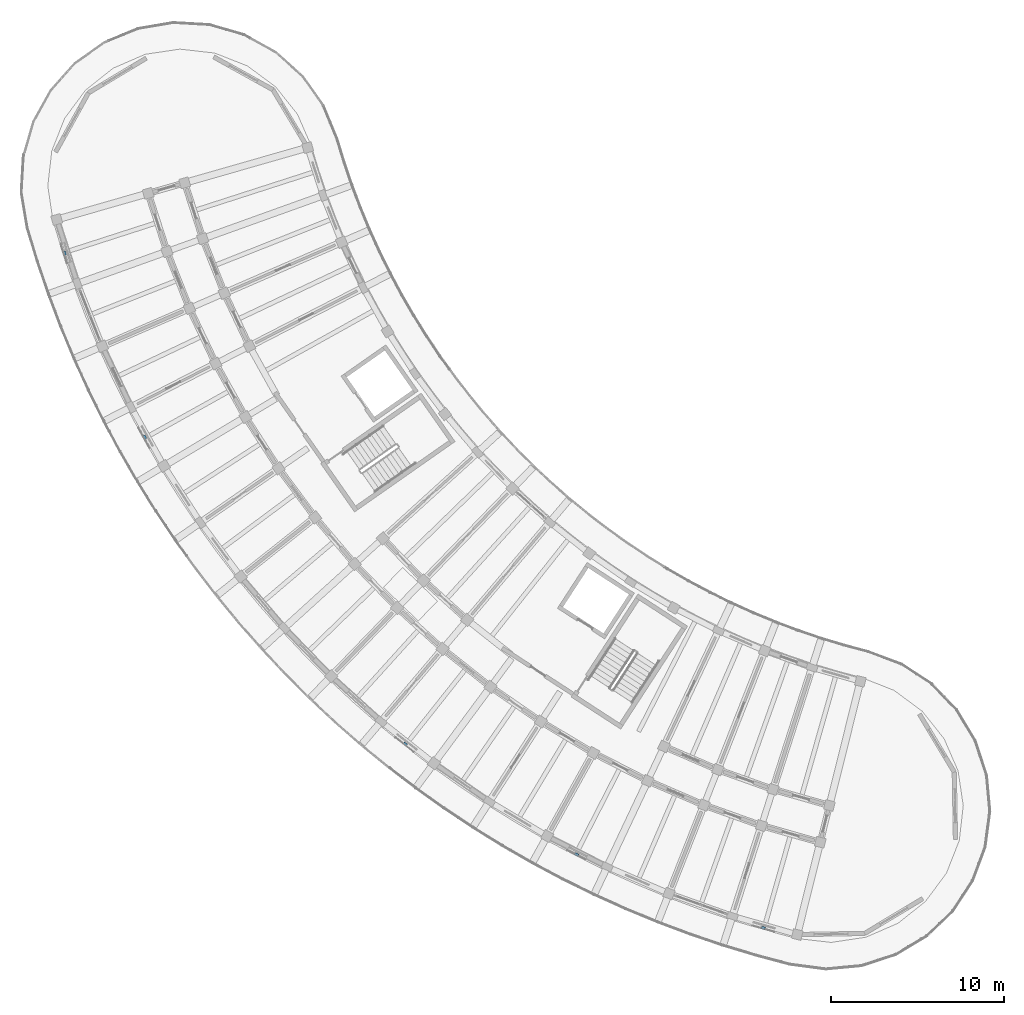
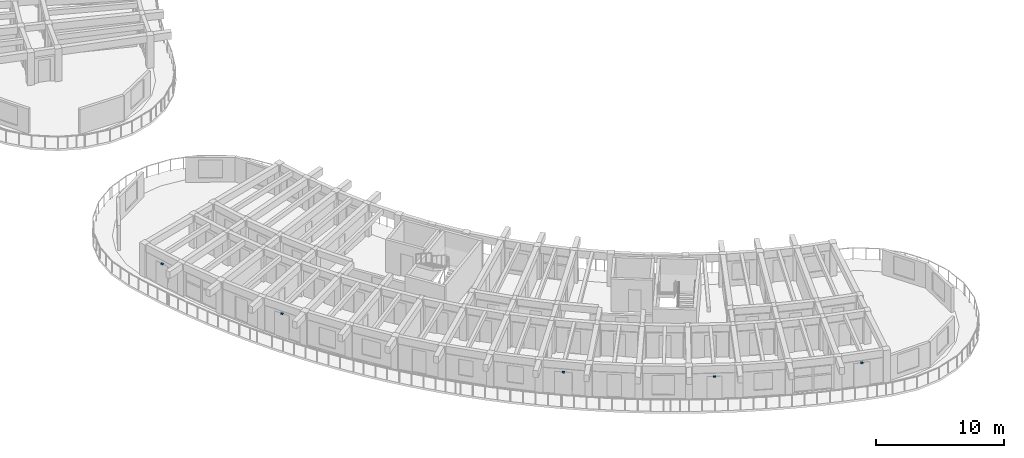
# One storey, part 61 of 81: 5 discrete accessories.
"""IFC4 building model written with IfcOpenShell, lengths in metres."""

import ifcopenshell
import ifcopenshell.guid

model = None  # the IFC model being written
_history = None  # IfcOwnerHistory: only IFC2X3 demands one
_inside = {}  # id of a spatial element -> (the spatial element, [elements in it])
_under = {}  # id of a project, library or spatial element -> (it, [spatial elements below it])
_declared = {}  # id of a project -> (the project, [libraries it declares])
_typed = {}  # id of a type object -> (the type object, [elements of that type])
_made_of = {}  # id of a material, layer set ... -> (it, [elements and type objects made of it])


def new_model(schema):
    """Start an empty IFC model of exactly this schema.

    Asked for "IFC4X3", IfcOpenShell would pick the latest addendum, in which some entities
    have other attributes; the version numbers below select the first issue.
    IFC2X3 requires an IfcOwnerHistory on every rooted entity: one is made here for all.
    """
    global model, _history
    if schema == "IFC4X3":
        model = ifcopenshell.file(schema_version=(4, 3, 0, 0))
    else:
        model = ifcopenshell.file(schema=schema)
    _inside.clear()
    _under.clear()
    _declared.clear()
    _typed.clear()
    _made_of.clear()
    _history = None
    if model.schema == "IFC2X3":
        org = make("IfcOrganization", Name="unknown")
        user = make(
            "IfcPersonAndOrganization",
            ThePerson=make("IfcPerson", FamilyName="unknown"),
            TheOrganization=org,
        )
        app = make(
            "IfcApplication",
            ApplicationDeveloper=org,
            Version="unknown",
            ApplicationFullName="unknown",
            ApplicationIdentifier="unknown",
        )
        _history = make(
            "IfcOwnerHistory",
            OwningUser=user,
            OwningApplication=app,
            ChangeAction="ADDED",
            CreationDate=0,
        )
    return model


def make(cls, **values):
    """One entity of the class cls with the attributes given. An attribute that is None is left unset."""
    return model.create_entity(
        cls, **{name: value for name, value in values.items() if value is not None}
    )


def rooted(cls, **values):
    """An entity with a GlobalId (a new one), such as an element, a storey or a relation."""
    return make(cls, GlobalId=ifcopenshell.guid.new(), OwnerHistory=_history, **values)


def si_unit(unit_type, name, prefix=None):
    """IfcSIUnit, for example si_unit("LENGTHUNIT", "METRE", prefix="MILLI")."""
    return make("IfcSIUnit", UnitType=unit_type, Prefix=prefix, Name=name)


def assignment(units):
    """IfcUnitAssignment: the units of a project."""
    return None if units is None else make("IfcUnitAssignment", Units=units)


def point(xyz):
    """IfcCartesianPoint."""
    return None if xyz is None else make("IfcCartesianPoint", Coordinates=xyz)


def direction(xyz):
    """IfcDirection."""
    return None if xyz is None else make("IfcDirection", DirectionRatios=xyz)


def frame(location, z_axis=None, x_axis=None):
    """IfcAxis2Placement3D, a coordinate frame: its origin and axes. An axis left out is left unset."""
    return make(
        "IfcAxis2Placement3D",
        Location=point(location),
        Axis=direction(z_axis),
        RefDirection=direction(x_axis),
    )


def frame_2d(location, x_axis=None):
    """IfcAxis2Placement2D, a coordinate frame in the plane: its origin and x axis."""
    return make(
        "IfcAxis2Placement2D", Location=point(location), RefDirection=direction(x_axis)
    )


def origin():
    """The frame at (0, 0, 0) with its axes left unset."""
    return frame((0.0, 0.0, 0.0))


def origin_2d():
    """The frame at (0, 0) in the plane with its x axis left unset."""
    return frame_2d((0.0, 0.0))


def place(relative_to, where):
    """IfcLocalPlacement: puts the frame where relative to a parent placement (None: the world)."""
    return make(
        "IfcLocalPlacement", PlacementRelTo=relative_to, RelativePlacement=where
    )


def context(
    kind, dimensions, precision=None, world=None, true_north=None, identifier=None
):
    """IfcGeometricRepresentationContext, for example the 3D "Model" context."""
    return make(
        "IfcGeometricRepresentationContext",
        ContextIdentifier=identifier,
        ContextType=kind,
        CoordinateSpaceDimension=dimensions,
        Precision=precision,
        WorldCoordinateSystem=world,
        TrueNorth=true_north,
    )


def subcontext(parent, identifier, kind, view, scale=None):
    """IfcGeometricRepresentationSubContext, for example "Body" below "Model"."""
    return make(
        "IfcGeometricRepresentationSubContext",
        ContextIdentifier=identifier,
        ContextType=kind,
        ParentContext=parent,
        TargetScale=scale,
        TargetView=view,
    )


def project(units=None, contexts=None):
    """IfcProject with its units and contexts."""
    return rooted(
        "IfcProject",
        Name="project",
        RepresentationContexts=contexts,
        UnitsInContext=assignment(units),
    )


def spatial(cls, under=None, at=None, **own):
    """A site, building, storey or space (cls), placed at a placement, below another one or the project."""
    s = rooted(cls, ObjectPlacement=at, **own)
    if under is not None:
        _under.setdefault(under.id(), (under, []))[1].append(s)
    return s


def profile(cls, at=None, kind="AREA", **sizes):
    """A parametric profile (cls). Its sizes go by their IFC names, for example OverallWidth=200.0."""
    return make(cls, ProfileType=kind, Position=at, **sizes)


def rectangle(**sizes):
    """IfcRectangleProfileDef."""
    return profile("IfcRectangleProfileDef", **sizes)


def extrude(swept, where, along, depth):
    """IfcExtrudedAreaSolid: the profile swept, set in the frame where, extruded along a direction by depth."""
    return make(
        "IfcExtrudedAreaSolid",
        SweptArea=swept,
        Position=where,
        ExtrudedDirection=direction(along),
        Depth=depth,
    )


def shape(context_of_items, identifier, shape_type, items):
    """IfcShapeRepresentation: the items that make up one representation, for example the "Body"."""
    return make(
        "IfcShapeRepresentation",
        ContextOfItems=context_of_items,
        RepresentationIdentifier=identifier,
        RepresentationType=shape_type,
        Items=items,
    )


def material(Name=None, Category=None):
    """IfcMaterial."""
    return make("IfcMaterial", Name=Name, Category=Category)


def made_of(thing, what):
    """Note that an element or type object is made of a material, layer set ...; save() writes the relation."""
    if what is not None:
        _made_of.setdefault(what.id(), (what, []))[1].append(thing)
    return thing


def type_object(cls, material=None, **own):
    """A type object (cls), such as IfcWallType, which elements share."""
    return made_of(rooted(cls, **own), material)


def element(
    cls,
    number,
    at=None,
    inside=None,
    cuts=None,
    type_object=None,
    material=None,
    context=None,
    identifier="Body",
    shape_type=None,
    held_by="IfcProductDefinitionShape",
    body=None,
    shapes=None,
    **own,
):
    """One element of the class cls, such as IfcWall. Its Tag is "e" and its number.

    at: its placement. inside: the storey or other place that contains it. cuts: it is an
    opening in that element (IfcRelVoidsElement). A single representation is given by context,
    identifier, shape_type and body (its items); several are given by shapes. held_by: the class
    of the entity that holds the representations. save() writes the other relations.
    """
    e = rooted(cls, Tag="e%d" % number, ObjectPlacement=at, **own)
    if body is not None:
        shapes = [shape(context, identifier, shape_type, body)]
    if shapes is not None:
        e.Representation = make(held_by, Representations=shapes)
    if inside is not None:
        _inside.setdefault(inside.id(), (inside, []))[1].append(e)
    if cuts is not None:
        rooted(
            "IfcRelVoidsElement", RelatingBuildingElement=cuts, RelatedOpeningElement=e
        )
    if type_object is not None:
        _typed.setdefault(type_object.id(), (type_object, []))[1].append(e)
    return made_of(e, material)


def aggregate(whole, parts):
    """IfcRelAggregates: a whole, such as a stair, and the parts it consists of."""
    return rooted("IfcRelAggregates", RelatingObject=whole, RelatedObjects=parts)


def save(model, path):
    """Write the relations noted so far, then the file.

    IfcRelAggregates (storeys below a building ...), IfcRelContainedInSpatialStructure (elements
    in a storey), IfcRelDefinesByType, IfcRelAssociatesMaterial and IfcRelDeclares: one each for
    every whole, place, type object, material and project.
    """
    for whole, parts in _under.values():
        aggregate(whole, parts)
    for where, things in _inside.values():
        rooted(
            "IfcRelContainedInSpatialStructure",
            RelatedElements=things,
            RelatingStructure=where,
        )
    for kind, things in _typed.values():
        rooted("IfcRelDefinesByType", RelatedObjects=things, RelatingType=kind)
    for what, things in _made_of.values():
        rooted("IfcRelAssociatesMaterial", RelatedObjects=things, RelatingMaterial=what)
    for by, libraries in _declared.values():
        rooted("IfcRelDeclares", RelatingContext=by, RelatedDefinitions=libraries)
    model.write(path)


model = new_model("IFC4")

# Units and contexts
model_context = context("Model", 3, precision=1e-05, world=origin(), true_north=direction((0.0, 1.0)))
body_context = subcontext(model_context, "Body", "Model", "MODEL_VIEW")
ifc_project = project(units=[si_unit("LENGTHUNIT", "METRE"), si_unit("AREAUNIT", "SQUARE_METRE"), si_unit("VOLUMEUNIT", "CUBIC_METRE"), si_unit("PLANEANGLEUNIT", "RADIAN"), si_unit("MASSUNIT", "GRAM", prefix="KILO")], contexts=[model_context])

# Site, building, storey
site_placement = place(None, origin())
site = spatial("IfcSite", under=ifc_project, at=site_placement, CompositionType="ELEMENT")
building_placement = place(site_placement, origin())
building = spatial("IfcBuilding", under=site, at=building_placement, Name="Tanwirah Colonnade Gardens", CompositionType="ELEMENT")
storey_placement = place(building_placement, frame((0.0, 0.0, 18.919921875)))
storey = spatial("IfcBuildingStorey", under=building, at=storey_placement, Name="L05", CompositionType="ELEMENT", Elevation=18.919921875)

# Discrete accessories
ifc_material = material(Name="Steel S355", Category="steel")
discrete_accessory_type = type_object("IfcDiscreteAccessoryType", Name="BRK-SS1", PredefinedType="BRACKET", material=ifc_material)
for number, where, z_axis, x_axis, name in (
    (1, (8.20458984375, 46.1357421875, 2.030029296875), (0.0, 0.0, 1.0), (0.30694295016, -0.951727915608, 0.0), "Solar screen support bracket C-L05-00"),
    (2, (12.834716796875, 35.48681640625, 2.135009765625), (0.0, 0.0, 1.0), (0.486717384336, -0.873559492985, 0.0), "Solar screen support bracket C-L05-03"),
    (3, (27.908447265625, 17.732666015625, 2.050048828125), (0.0, 0.0, 1.0), (0.783964634348, -0.620805486519, 0.0), "Solar screen support bracket C-L05-09"),
    (4, (37.8251953125, 11.35400390625, 2.030029296875), (0.0, 0.0, 1.0), (0.890014924435, -0.455931392078, 0.0), "Solar screen support bracket C-L05-12"),
    (5, (48.62890625, 7.09814453125, 2.135009765625), (0.0, 0.0, 1.0), (0.961860770803, -0.273539499139, 0.0), "Solar screen support bracket C-L05-15"),
):
    element("IfcDiscreteAccessory", number, at=place(storey_placement, frame(where, z_axis=z_axis, x_axis=x_axis)), inside=storey, type_object=discrete_accessory_type, Name=name, PredefinedType="BRACKET", context=body_context, shape_type="SweptSolid", body=[
        extrude(rectangle(XDim=0.219970703125, YDim=0.159912109375, at=origin_2d()), origin(), (0.0, 0.0, 1.0), 0.1201171875),
    ])

save(model, "model.ifc")
